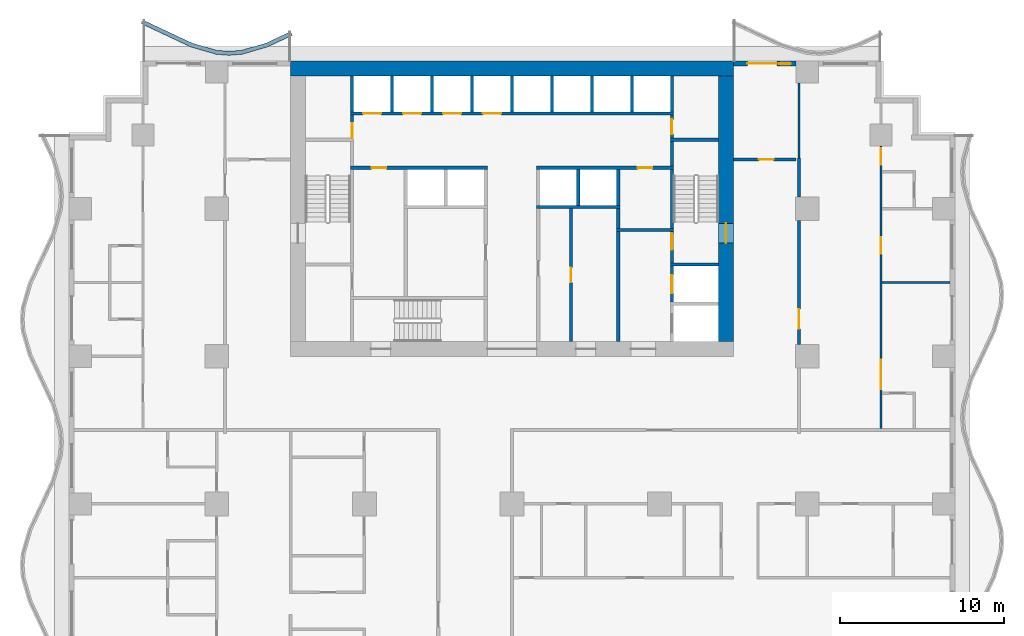
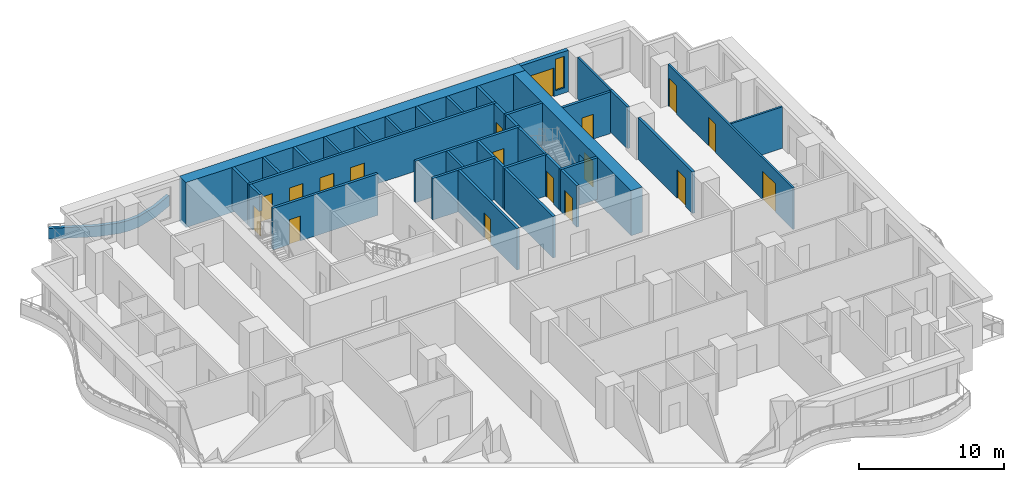
# One storey, part 6 of 14: 37 walls, 18 doors, 1 window, 19 openings.
"""IFC4 building model written with IfcOpenShell, lengths in metres."""

from ifc_helpers import new_model, si_unit, direction, frame, frame_2d, origin, place, context, subcontext, project, spatial, polyline, rectangle, outline, extrude, material, layer, layer_set, type_object, element, fill, save


model = new_model("IFC4")

# Units and contexts
model_context = context("Model", 3, precision=1e-05, world=origin(), true_north=direction((0.0, 1.0)))
body_context = subcontext(model_context, "Body", "Model", "MODEL_VIEW")
ifc_project = project(units=[si_unit("LENGTHUNIT", "METRE"), si_unit("AREAUNIT", "SQUARE_METRE"), si_unit("VOLUMEUNIT", "CUBIC_METRE"), si_unit("PLANEANGLEUNIT", "RADIAN"), si_unit("MASSUNIT", "GRAM", prefix="KILO")], contexts=[model_context])

# Site, building, storey
site_placement = place(None, origin())
site = spatial("IfcSite", under=ifc_project, at=site_placement, CompositionType="ELEMENT")
building_placement = place(site_placement, origin())
building = spatial("IfcBuilding", under=site, at=building_placement, Name="Orbiselva Terraces", CompositionType="ELEMENT")
storey_placement = place(building_placement, frame((0.0, 0.0, 60.6)))
storey = spatial("IfcBuildingStorey", under=building, at=storey_placement, Name="L15", CompositionType="ELEMENT", Elevation=60.6)

# Wall, opening, door
ifc_material_1 = material(Name="Concrete C80/95", Category="concrete")
ifc_layer_1 = layer(ifc_material_1, 0.9)
ifc_layer_set_1 = layer_set([ifc_layer_1], Name="Concrete C80/95")
wall_type_1 = type_object("IfcWallType", Name="CORE WALL 900", PredefinedType="SHEAR", material=ifc_layer_set_1)
wall_1_placement = place(storey_placement, frame((13.05, 5.4, -0.3), z_axis=(0.0, 0.0, 1.0), x_axis=(0.0, 1.0, 0.0)))
wall_1 = element("IfcWall", 1, at=wall_1_placement, inside=storey, type_object=wall_type_1, Name="Core wall L15 east", PredefinedType="SHEAR", context=body_context, shape_type="SweptSolid", body=[
    extrude(rectangle(XDim=16.2, YDim=0.9, at=frame_2d((8.1, 0.0))), origin(), (0.0, 0.0, 1.0), 3.8),
])
opening_1_placement = place(wall_1_placement, frame((6.0, 0.0, 0.3)))
opening_1 = element("IfcOpeningElement", 2, at=opening_1_placement, cuts=wall_1, Name="Opening DS1200", PredefinedType="OPENING", context=body_context, shape_type="SweptSolid", body=[
    extrude(rectangle(XDim=1.2, YDim=2.2, at=frame_2d((0.6, 1.1))), frame((0.0, 0.46, 0.0), z_axis=(0.0, -1.0, 0.0), x_axis=(1.0, 0.0, 0.0)), (0.0, 0.0, 1.0), 0.92),
])
ifc_material_2 = material(Name="Steel fire door", Category="steel")
door_type_1 = type_object("IfcDoorType", Name="STAIR DOOR 1200", OperationType="NOTDEFINED", PredefinedType="DOOR", material=ifc_material_2)
door_1_placement = place(opening_1_placement, frame((1.2, 0.0, 0.0), z_axis=(0.0, 0.0, 1.0), x_axis=(-1.0, 0.0, 0.0)))
door_1 = element("IfcDoor", 3, at=door_1_placement, inside=storey, type_object=door_type_1, Name="L15 EXIT STAIR S2 door", OperationType="SINGLE_SWING_LEFT", OverallHeight=2.2, OverallWidth=1.2, PredefinedType="DOOR", context=body_context, shape_type="SweptSolid", body=[
    extrude(rectangle(XDim=1.2, YDim=2.2, at=frame_2d((0.6, 1.1))), frame((0.0, 0.025, 0.0), z_axis=(0.0, -1.0, 0.0), x_axis=(1.0, 0.0, 0.0)), (0.0, 0.0, 1.0), 0.05),
])
fill(opening_1, door_1)

# Wall
ifc_layer_2 = layer(ifc_material_1, 0.9)
ifc_layer_set_2 = layer_set([ifc_layer_2], Name="Concrete C80/95")
wall_type_2 = type_object("IfcWallType", Name="CORE WALL 900 EXTERNAL", PredefinedType="SHEAR", material=ifc_layer_set_2)
wall_2_placement = place(storey_placement, frame((13.5, 22.05, -0.3), z_axis=(0.0, 0.0, 1.0), x_axis=(-1.0, 0.0, 0.0)))
element("IfcWall", 4, at=wall_2_placement, inside=storey, type_object=wall_type_2, Name="Core wall L15 north", PredefinedType="SHEAR", context=body_context, shape_type="SweptSolid", body=[
    extrude(rectangle(XDim=27.0, YDim=0.9, at=frame_2d((13.5, 0.0))), origin(), (0.0, 0.0, 1.0), 3.8),
])

# Wall, opening, door
ifc_material_3 = material(Name="Masonry blockwork", Category="masonry")
ifc_layer_3 = layer(ifc_material_3, 0.2)
ifc_layer_set_3 = layer_set([ifc_layer_3], Name="Masonry blockwork")
wall_type_3 = type_object("IfcWallType", Name="CORE-WALL-PARTITION-200", PredefinedType="PARTITIONING", material=ifc_layer_set_3)
wall_3_placement = place(storey_placement, frame((-9.75, 17.8, 0.0), z_axis=(0.0, 0.0, 1.0), x_axis=(0.0, 1.0, 0.0)))
wall_3 = element("IfcWall", 5, at=wall_3_placement, inside=storey, type_object=wall_type_3, Name="L15 core wall 09", PredefinedType="PARTITIONING", context=body_context, shape_type="SweptSolid", body=[
    extrude(rectangle(XDim=1.4, YDim=0.2, at=frame_2d((0.7, 0.0))), origin(), (0.0, 0.0, 1.0), 3.5),
])
opening_2_placement = place(wall_3_placement, origin())
opening_2 = element("IfcOpeningElement", 6, at=opening_2_placement, cuts=wall_3, Name="Opening DR900", PredefinedType="OPENING", context=body_context, shape_type="SweptSolid", body=[
    extrude(rectangle(XDim=0.9, YDim=2.1, at=frame_2d((0.45, 1.05))), frame((0.0, 0.11, 0.0), z_axis=(0.0, -1.0, 0.0), x_axis=(1.0, 0.0, 0.0)), (0.0, 0.0, 1.0), 0.22),
])
door_type_2 = type_object("IfcDoorType", Name="ROOM DOOR 900", OperationType="NOTDEFINED", PredefinedType="DOOR", material=ifc_material_2)
door_2_placement = place(opening_2_placement, origin())
door_2 = element("IfcDoor", 7, at=door_2_placement, inside=storey, type_object=door_type_2, Name="L15 ELECTRICAL RISER ROOM door", OperationType="SINGLE_SWING_LEFT", OverallHeight=2.1, OverallWidth=0.9, PredefinedType="DOOR", context=body_context, shape_type="SweptSolid", body=[
    extrude(rectangle(XDim=0.9, YDim=2.1, at=frame_2d((0.45, 1.05))), frame((0.0, 0.025, 0.0), z_axis=(0.0, -1.0, 0.0), x_axis=(1.0, 0.0, 0.0)), (0.0, 0.0, 1.0), 0.05),
])
fill(opening_2, door_2)

wall_4_placement = place(storey_placement, frame((3.6, 13.5, 0.0), z_axis=(0.0, 0.0, 1.0), x_axis=(0.0, -1.0, 0.0)))
wall_4 = element("IfcWall", 8, at=wall_4_placement, inside=storey, type_object=wall_type_3, Name="L15 core wall 28", PredefinedType="PARTITIONING", context=body_context, shape_type="SweptSolid", body=[
    extrude(rectangle(XDim=8.1, YDim=0.2, at=frame_2d((4.05, 0.0))), origin(), (0.0, 0.0, 1.0), 3.5),
])
opening_3_placement = place(wall_4_placement, frame((3.6, 0.0, 0.0)))
opening_3 = element("IfcOpeningElement", 9, at=opening_3_placement, cuts=wall_4, Name="Opening DR900", PredefinedType="OPENING", context=body_context, shape_type="SweptSolid", body=[
    extrude(rectangle(XDim=0.9, YDim=2.1, at=frame_2d((0.45, 1.05))), frame((0.0, 0.11, 0.0), z_axis=(0.0, -1.0, 0.0), x_axis=(1.0, 0.0, 0.0)), (0.0, 0.0, 1.0), 0.22),
])
door_3_placement = place(opening_3_placement, origin())
door_3 = element("IfcDoor", 10, at=door_3_placement, inside=storey, type_object=door_type_2, Name="L15 SERVICE ROOM door", OperationType="SINGLE_SWING_RIGHT", OverallHeight=2.1, OverallWidth=0.9, PredefinedType="DOOR", context=body_context, shape_type="SweptSolid", body=[
    extrude(rectangle(XDim=0.9, YDim=2.1, at=frame_2d((0.45, 1.05))), frame((0.0, 0.025, 0.0), z_axis=(0.0, -1.0, 0.0), x_axis=(1.0, 0.0, 0.0)), (0.0, 0.0, 1.0), 0.05),
])
fill(opening_3, door_3)

# Wall
wall_5_placement = place(storey_placement, frame((6.475, 12.3, 0.0), z_axis=(0.0, 0.0, 1.0), x_axis=(0.0, 1.0, 0.0)))
element("IfcWall", 11, at=wall_5_placement, inside=storey, type_object=wall_type_3, Name="L15 core wall 33", PredefinedType="PARTITIONING", context=body_context, shape_type="SweptSolid", body=[
    extrude(rectangle(XDim=1.2, YDim=0.2, at=frame_2d((0.6, 0.0))), origin(), (0.0, 0.0, 1.0), 3.5),
])

# Wall, opening, door
wall_6_placement = place(storey_placement, frame((9.75, 19.2, 0.0), z_axis=(0.0, 0.0, 1.0), x_axis=(0.0, -1.0, 0.0)))
wall_6 = element("IfcWall", 12, at=wall_6_placement, inside=storey, type_object=wall_type_3, Name="L15 core wall 44", PredefinedType="PARTITIONING", context=body_context, shape_type="SweptSolid", body=[
    extrude(rectangle(XDim=1.4, YDim=0.2, at=frame_2d((0.7, 0.0))), origin(), (0.0, 0.0, 1.0), 3.5),
])
opening_4_placement = place(wall_6_placement, frame((0.25, 0.0, 0.0)))
opening_4 = element("IfcOpeningElement", 13, at=opening_4_placement, cuts=wall_6, Name="Opening DR900", PredefinedType="OPENING", context=body_context, shape_type="SweptSolid", body=[
    extrude(rectangle(XDim=0.9, YDim=2.1, at=frame_2d((0.45, 1.05))), frame((0.0, 0.11, 0.0), z_axis=(0.0, -1.0, 0.0), x_axis=(1.0, 0.0, 0.0)), (0.0, 0.0, 1.0), 0.22),
])
door_4_placement = place(opening_4_placement, origin())
door_4 = element("IfcDoor", 14, at=door_4_placement, inside=storey, type_object=door_type_2, Name="L15 COMMS RISER ROOM door", OperationType="SINGLE_SWING_RIGHT", OverallHeight=2.1, OverallWidth=0.9, PredefinedType="DOOR", context=body_context, shape_type="SweptSolid", body=[
    extrude(rectangle(XDim=0.9, YDim=2.1, at=frame_2d((0.45, 1.05))), frame((0.0, 0.025, 0.0), z_axis=(0.0, -1.0, 0.0), x_axis=(1.0, 0.0, 0.0)), (0.0, 0.0, 1.0), 0.05),
])
fill(opening_4, door_4)

# Walls
ifc_material_4 = material(Name="Concrete C40/50", Category="concrete")
ifc_layer_4 = layer(ifc_material_4, 0.2)
ifc_layer_set_4 = layer_set([ifc_layer_4], Name="Concrete C40/50")
wall_type_4 = type_object("IfcWallType", Name="CORE-WALL-SHAFT-200", PredefinedType="PARTITIONING", material=ifc_layer_set_4)
for number, where, z_axis, x_axis, name in (
    (15, (-9.75, 19.4, 0.0), (0.0, 0.0, 1.0), (0.0, 1.0, 0.0), "L15 core wall 11"),
    (16, (-7.3125, 19.4, 0.0), (0.0, 0.0, 1.0), (0.0, 1.0, 0.0), "L15 core wall 12"),
    (17, (-4.875, 19.4, 0.0), (0.0, 0.0, 1.0), (0.0, 1.0, 0.0), "L15 core wall 16"),
    (18, (-2.4375, 19.4, 0.0), (0.0, 0.0, 1.0), (0.0, 1.0, 0.0), "L15 core wall 18"),
    (19, (0.0, 19.4, 0.0), (0.0, 0.0, 1.0), (0.0, 1.0, 0.0), "L15 core wall 22"),
    (20, (2.4375, 19.4, 0.0), (0.0, 0.0, 1.0), (0.0, 1.0, 0.0), "L15 core wall 27"),
    (21, (4.0375, 13.7, 0.0), (0.0, 0.0, 1.0), (0.0, 1.0, 0.0), "L15 core wall 29"),
    (22, (4.875, 19.4, 0.0), (0.0, 0.0, 1.0), (0.0, 1.0, 0.0), "L15 core wall 30"),
    (23, (6.475, 13.7, 0.0), (0.0, 0.0, 1.0), (0.0, 1.0, 0.0), "L15 core wall 34"),
    (24, (7.3125, 19.4, 0.0), (0.0, 0.0, 1.0), (0.0, 1.0, 0.0), "L15 core wall 35"),
    (25, (9.75, 19.4, 0.0), (0.0, 0.0, 1.0), (0.0, 1.0, 0.0), "L15 core wall 45"),
):
    element("IfcWall", number, at=place(storey_placement, frame(where, z_axis=z_axis, x_axis=x_axis)), inside=storey, type_object=wall_type_4, Name=name, PredefinedType="PARTITIONING", context=body_context, shape_type="SweptSolid", body=[
        extrude(rectangle(XDim=2.2, YDim=0.2, at=frame_2d((1.1, 0.0))), origin(), (0.0, 0.0, 1.0), 3.5),
    ])

# Wall, opening, door
ifc_material_5 = material(Name="Concrete C60/75", Category="concrete")
ifc_layer_5 = layer(ifc_material_5, 0.2)
ifc_layer_set_5 = layer_set([ifc_layer_5], Name="Concrete C60/75")
wall_type_5 = type_object("IfcWallType", Name="CORE-WALL-SHEAR-200", PredefinedType="SHEAR", material=ifc_layer_set_5)
wall_7_placement = place(storey_placement, frame((-1.5, 16.0, 0.0), z_axis=(0.0, 0.0, 1.0), x_axis=(-1.0, 0.0, 0.0)))
wall_7 = element("IfcWall", 26, at=wall_7_placement, inside=storey, type_object=wall_type_5, Name="L15 core wall 07", PredefinedType="SHEAR", context=body_context, shape_type="SweptSolid", body=[
    extrude(rectangle(XDim=8.35, YDim=0.2, at=frame_2d((4.175, 0.0))), origin(), (0.0, 0.0, 1.0), 3.5),
])
opening_5_placement = place(wall_7_placement, frame((6.1625, 0.0, 0.0)))
opening_5 = element("IfcOpeningElement", 27, at=opening_5_placement, cuts=wall_7, Name="Opening DR900", PredefinedType="OPENING", context=body_context, shape_type="SweptSolid", body=[
    extrude(rectangle(XDim=0.9, YDim=2.1, at=frame_2d((0.45, 1.05))), frame((0.0, 0.11, 0.0), z_axis=(0.0, -1.0, 0.0), x_axis=(1.0, 0.0, 0.0)), (0.0, 0.0, 1.0), 0.22),
])
door_5_placement = place(opening_5_placement, origin())
door_5 = element("IfcDoor", 28, at=door_5_placement, inside=storey, type_object=door_type_2, Name="L15 STAFF PANTRY door", OperationType="SINGLE_SWING_RIGHT", OverallHeight=2.1, OverallWidth=0.9, PredefinedType="DOOR", context=body_context, shape_type="SweptSolid", body=[
    extrude(rectangle(XDim=0.9, YDim=2.1, at=frame_2d((0.45, 1.05))), frame((0.0, 0.025, 0.0), z_axis=(0.0, -1.0, 0.0), x_axis=(1.0, 0.0, 0.0)), (0.0, 0.0, 1.0), 0.05),
])
fill(opening_5, door_5)

# Wall, openings, doors
wall_8_placement = place(storey_placement, frame((-9.85, 19.3, 0.0), z_axis=(0.0, 0.0, 1.0), x_axis=(1.0, 0.0, 0.0)))
wall_8 = element("IfcWall", 29, at=wall_8_placement, inside=storey, type_object=wall_type_5, Name="L15 core wall 10", PredefinedType="SHEAR", context=body_context, shape_type="SweptSolid", body=[
    extrude(rectangle(XDim=19.7, YDim=0.2, at=frame_2d((9.85, 0.0))), origin(), (0.0, 0.0, 1.0), 3.5),
])
opening_6_placement = place(wall_8_placement, frame((0.76875, 0.0, 0.0)))
opening_6 = element("IfcOpeningElement", 30, at=opening_6_placement, cuts=wall_8, Name="Opening LD-LR1", PredefinedType="OPENING", context=body_context, shape_type="SweptSolid", body=[
    extrude(rectangle(XDim=1.1, YDim=2.1, at=frame_2d((0.55, 1.05))), frame((0.0, 0.11, 0.0), z_axis=(0.0, -1.0, 0.0), x_axis=(1.0, 0.0, 0.0)), (0.0, 0.0, 1.0), 0.22),
])
opening_7_placement = place(wall_8_placement, frame((3.20625, 0.0, 0.0)))
opening_7 = element("IfcOpeningElement", 31, at=opening_7_placement, cuts=wall_8, Name="Opening LD-LR2", PredefinedType="OPENING", context=body_context, shape_type="SweptSolid", body=[
    extrude(rectangle(XDim=1.1, YDim=2.1, at=frame_2d((0.55, 1.05))), frame((0.0, 0.11, 0.0), z_axis=(0.0, -1.0, 0.0), x_axis=(1.0, 0.0, 0.0)), (0.0, 0.0, 1.0), 0.22),
])
opening_8_placement = place(wall_8_placement, frame((5.64375, 0.0, 0.0)))
opening_8 = element("IfcOpeningElement", 32, at=opening_8_placement, cuts=wall_8, Name="Opening LD-LR3", PredefinedType="OPENING", context=body_context, shape_type="SweptSolid", body=[
    extrude(rectangle(XDim=1.1, YDim=2.1, at=frame_2d((0.55, 1.05))), frame((0.0, 0.11, 0.0), z_axis=(0.0, -1.0, 0.0), x_axis=(1.0, 0.0, 0.0)), (0.0, 0.0, 1.0), 0.22),
])
opening_9_placement = place(wall_8_placement, frame((8.08125, 0.0, 0.0)))
opening_9 = element("IfcOpeningElement", 33, at=opening_9_placement, cuts=wall_8, Name="Opening LD-LR4", PredefinedType="OPENING", context=body_context, shape_type="SweptSolid", body=[
    extrude(rectangle(XDim=1.1, YDim=2.1, at=frame_2d((0.55, 1.05))), frame((0.0, 0.11, 0.0), z_axis=(0.0, -1.0, 0.0), x_axis=(1.0, 0.0, 0.0)), (0.0, 0.0, 1.0), 0.22),
])
ifc_material_6 = material(Name="Stainless steel landing door", Category="steel")
door_type_3 = type_object("IfcDoorType", Name="LANDING DOOR 1100", OperationType="SLIDING_TO_LEFT", PredefinedType="DOOR", material=ifc_material_6)
door_6_placement = place(opening_6_placement, origin())
door_6 = element("IfcDoor", 34, at=door_6_placement, inside=storey, type_object=door_type_3, Name="L15 landing door LR1", OperationType="SLIDING_TO_LEFT", OverallHeight=2.1, OverallWidth=1.1, PredefinedType="DOOR", context=body_context, shape_type="SweptSolid", body=[
    extrude(rectangle(XDim=1.1, YDim=2.1, at=frame_2d((0.55, 1.05))), frame((0.0, 0.025, 0.0), z_axis=(0.0, -1.0, 0.0), x_axis=(1.0, 0.0, 0.0)), (0.0, 0.0, 1.0), 0.05),
])
fill(opening_6, door_6)
door_7_placement = place(opening_7_placement, origin())
door_7 = element("IfcDoor", 35, at=door_7_placement, inside=storey, type_object=door_type_3, Name="L15 landing door LR2", OperationType="SLIDING_TO_LEFT", OverallHeight=2.1, OverallWidth=1.1, PredefinedType="DOOR", context=body_context, shape_type="SweptSolid", body=[
    extrude(rectangle(XDim=1.1, YDim=2.1, at=frame_2d((0.55, 1.05))), frame((0.0, 0.025, 0.0), z_axis=(0.0, -1.0, 0.0), x_axis=(1.0, 0.0, 0.0)), (0.0, 0.0, 1.0), 0.05),
])
fill(opening_7, door_7)
door_8_placement = place(opening_8_placement, origin())
door_8 = element("IfcDoor", 36, at=door_8_placement, inside=storey, type_object=door_type_3, Name="L15 landing door LR3", OperationType="SLIDING_TO_LEFT", OverallHeight=2.1, OverallWidth=1.1, PredefinedType="DOOR", context=body_context, shape_type="SweptSolid", body=[
    extrude(rectangle(XDim=1.1, YDim=2.1, at=frame_2d((0.55, 1.05))), frame((0.0, 0.025, 0.0), z_axis=(0.0, -1.0, 0.0), x_axis=(1.0, 0.0, 0.0)), (0.0, 0.0, 1.0), 0.05),
])
fill(opening_8, door_8)
door_9_placement = place(opening_9_placement, origin())
door_9 = element("IfcDoor", 37, at=door_9_placement, inside=storey, type_object=door_type_3, Name="L15 landing door LR4", OperationType="SLIDING_TO_LEFT", OverallHeight=2.1, OverallWidth=1.1, PredefinedType="DOOR", context=body_context, shape_type="SweptSolid", body=[
    extrude(rectangle(XDim=1.1, YDim=2.1, at=frame_2d((0.55, 1.05))), frame((0.0, 0.025, 0.0), z_axis=(0.0, -1.0, 0.0), x_axis=(1.0, 0.0, 0.0)), (0.0, 0.0, 1.0), 0.05),
])
fill(opening_9, door_9)

# Wall
wall_9_placement = place(storey_placement, frame((1.5, 13.6, 0.0), z_axis=(0.0, 0.0, 1.0), x_axis=(1.0, 0.0, 0.0)))
element("IfcWall", 38, at=wall_9_placement, inside=storey, type_object=wall_type_5, Name="L15 core wall 24", PredefinedType="SHEAR", context=body_context, shape_type="SweptSolid", body=[
    extrude(rectangle(XDim=5.075, YDim=0.2, at=frame_2d((2.5375, 0.0))), origin(), (0.0, 0.0, 1.0), 3.5),
])

# Wall, opening, door
wall_10_placement = place(storey_placement, frame((9.85, 16.0, 0.0), z_axis=(0.0, 0.0, 1.0), x_axis=(-1.0, 0.0, 0.0)))
wall_10 = element("IfcWall", 39, at=wall_10_placement, inside=storey, type_object=wall_type_5, Name="L15 core wall 26", PredefinedType="SHEAR", context=body_context, shape_type="SweptSolid", body=[
    extrude(rectangle(XDim=8.35, YDim=0.2, at=frame_2d((4.175, 0.0))), origin(), (0.0, 0.0, 1.0), 3.5),
])
opening_10_placement = place(wall_10_placement, frame((1.2875, 0.0, 0.0)))
opening_10 = element("IfcOpeningElement", 40, at=opening_10_placement, cuts=wall_10, Name="Opening DR900", PredefinedType="OPENING", context=body_context, shape_type="SweptSolid", body=[
    extrude(rectangle(XDim=0.9, YDim=2.1, at=frame_2d((0.45, 1.05))), frame((0.0, 0.11, 0.0), z_axis=(0.0, -1.0, 0.0), x_axis=(1.0, 0.0, 0.0)), (0.0, 0.0, 1.0), 0.22),
])
door_10_placement = place(opening_10_placement, origin())
door_10 = element("IfcDoor", 41, at=door_10_placement, inside=storey, type_object=door_type_2, Name="L15 PIPE RISER ROOM door", OperationType="SINGLE_SWING_LEFT", OverallHeight=2.1, OverallWidth=0.9, PredefinedType="DOOR", context=body_context, shape_type="SweptSolid", body=[
    extrude(rectangle(XDim=0.9, YDim=2.1, at=frame_2d((0.45, 1.05))), frame((0.0, 0.025, 0.0), z_axis=(0.0, -1.0, 0.0), x_axis=(1.0, 0.0, 0.0)), (0.0, 0.0, 1.0), 0.05),
])
fill(opening_10, door_10)

# Walls
wall_11_placement = place(storey_placement, frame((6.475, 5.4, 0.0), z_axis=(0.0, 0.0, 1.0), x_axis=(0.0, 1.0, 0.0)))
element("IfcWall", 42, at=wall_11_placement, inside=storey, type_object=wall_type_5, Name="L15 core wall 31", PredefinedType="SHEAR", context=body_context, shape_type="SweptSolid", body=[
    extrude(rectangle(XDim=6.7, YDim=0.2, at=frame_2d((3.35, 0.0))), origin(), (0.0, 0.0, 1.0), 3.5),
])
wall_12_placement = place(storey_placement, frame((6.375, 12.2, 0.0), z_axis=(0.0, 0.0, 1.0), x_axis=(1.0, 0.0, 0.0)))
element("IfcWall", 43, at=wall_12_placement, inside=storey, type_object=wall_type_5, Name="L15 core wall 32", PredefinedType="SHEAR", context=body_context, shape_type="SweptSolid", body=[
    extrude(rectangle(XDim=3.475, YDim=0.2, at=frame_2d((1.7375, 0.0))), origin(), (0.0, 0.0, 1.0), 3.5),
])

# Wall, opening, door
wall_13_placement = place(storey_placement, frame((9.75, 7.8, 0.0), z_axis=(0.0, 0.0, 1.0), x_axis=(0.0, 1.0, 0.0)))
wall_13 = element("IfcWall", 44, at=wall_13_placement, inside=storey, type_object=wall_type_5, Name="L15 core wall 38", PredefinedType="SHEAR", context=body_context, shape_type="SweptSolid", body=[
    extrude(rectangle(XDim=2.2, YDim=0.2, at=frame_2d((1.1, 0.0))), origin(), (0.0, 0.0, 1.0), 3.5),
])
opening_11_placement = place(wall_13_placement, frame((0.55, 0.0, 0.0)))
opening_11 = element("IfcOpeningElement", 45, at=opening_11_placement, cuts=wall_13, Name="Opening LD-FF2", PredefinedType="OPENING", context=body_context, shape_type="SweptSolid", body=[
    extrude(rectangle(XDim=1.1, YDim=2.1, at=frame_2d((0.55, 1.05))), frame((0.0, 0.11, 0.0), z_axis=(0.0, -1.0, 0.0), x_axis=(1.0, 0.0, 0.0)), (0.0, 0.0, 1.0), 0.22),
])
door_11_placement = place(opening_11_placement, origin())
door_11 = element("IfcDoor", 46, at=door_11_placement, inside=storey, type_object=door_type_3, Name="L15 landing door FF2", OperationType="SLIDING_TO_RIGHT", OverallHeight=2.1, OverallWidth=1.1, PredefinedType="DOOR", context=body_context, shape_type="SweptSolid", body=[
    extrude(rectangle(XDim=1.1, YDim=2.1, at=frame_2d((0.55, 1.05))), frame((0.0, 0.025, 0.0), z_axis=(0.0, -1.0, 0.0), x_axis=(1.0, 0.0, 0.0)), (0.0, 0.0, 1.0), 0.05),
])
fill(opening_11, door_11)

# Wall
wall_14_placement = place(storey_placement, frame((9.65, 10.1, 0.0), z_axis=(0.0, 0.0, 1.0), x_axis=(1.0, 0.0, 0.0)))
element("IfcWall", 47, at=wall_14_placement, inside=storey, type_object=wall_type_5, Name="L15 core wall 39", PredefinedType="SHEAR", context=body_context, shape_type="SweptSolid", body=[
    extrude(rectangle(XDim=2.95, YDim=0.2, at=frame_2d((1.475, 0.0))), origin(), (0.0, 0.0, 1.0), 3.5),
])

# Wall, opening, door
wall_15_placement = place(storey_placement, frame((9.75, 12.1, 0.0), z_axis=(0.0, 0.0, 1.0), x_axis=(0.0, -1.0, 0.0)))
wall_15 = element("IfcWall", 48, at=wall_15_placement, inside=storey, type_object=wall_type_5, Name="L15 core wall 40", PredefinedType="SHEAR", context=body_context, shape_type="SweptSolid", body=[
    extrude(rectangle(XDim=1.9, YDim=0.2, at=frame_2d((0.95, 0.0))), origin(), (0.0, 0.0, 1.0), 3.5),
])
opening_12_placement = place(wall_15_placement, frame((0.1, 0.0, 0.0)))
opening_12 = element("IfcOpeningElement", 49, at=opening_12_placement, cuts=wall_15, Name="Opening DS1000", PredefinedType="OPENING", context=body_context, shape_type="SweptSolid", body=[
    extrude(rectangle(XDim=1.0, YDim=2.2, at=frame_2d((0.5, 1.1))), frame((0.0, 0.11, 0.0), z_axis=(0.0, -1.0, 0.0), x_axis=(1.0, 0.0, 0.0)), (0.0, 0.0, 1.0), 0.22),
])
door_type_4 = type_object("IfcDoorType", Name="STAIR DOOR 1000", OperationType="NOTDEFINED", PredefinedType="DOOR", material=ifc_material_2)
door_12_placement = place(opening_12_placement, origin())
door_12 = element("IfcDoor", 50, at=door_12_placement, inside=storey, type_object=door_type_4, Name="L15 FIRE-FIGHTING LOBBY TO EXIT STAIR S2 door", OperationType="SINGLE_SWING_LEFT", OverallHeight=2.2, OverallWidth=1.0, PredefinedType="DOOR", context=body_context, shape_type="SweptSolid", body=[
    extrude(rectangle(XDim=1.0, YDim=2.2, at=frame_2d((0.5, 1.1))), frame((0.0, 0.025, 0.0), z_axis=(0.0, -1.0, 0.0), x_axis=(1.0, 0.0, 0.0)), (0.0, 0.0, 1.0), 0.05),
])
fill(opening_12, door_12)

# Walls
wall_16_placement = place(storey_placement, frame((9.75, 12.3, 0.0), z_axis=(0.0, 0.0, 1.0), x_axis=(0.0, 1.0, 0.0)))
element("IfcWall", 51, at=wall_16_placement, inside=storey, type_object=wall_type_5, Name="L15 core wall 41", PredefinedType="SHEAR", context=body_context, shape_type="SweptSolid", body=[
    extrude(rectangle(XDim=3.6, YDim=0.2, at=frame_2d((1.8, 0.0))), origin(), (0.0, 0.0, 1.0), 3.5),
])
wall_17_placement = place(storey_placement, frame((9.75, 16.1, 0.0), z_axis=(0.0, 0.0, 1.0), x_axis=(0.0, 1.0, 0.0)))
element("IfcWall", 52, at=wall_17_placement, inside=storey, type_object=wall_type_5, Name="L15 core wall 42", PredefinedType="SHEAR", context=body_context, shape_type="SweptSolid", body=[
    extrude(rectangle(XDim=1.5, YDim=0.2, at=frame_2d((0.75, 0.0))), origin(), (0.0, 0.0, 1.0), 3.5),
])
wall_18_placement = place(storey_placement, frame((9.65, 17.7, 0.0), z_axis=(0.0, 0.0, 1.0), x_axis=(1.0, 0.0, 0.0)))
element("IfcWall", 53, at=wall_18_placement, inside=storey, type_object=wall_type_5, Name="L15 core wall 43", PredefinedType="SHEAR", context=body_context, shape_type="SweptSolid", body=[
    extrude(rectangle(XDim=2.95, YDim=0.2, at=frame_2d((1.475, 0.0))), origin(), (0.0, 0.0, 1.0), 3.5),
])
ifc_layer_6 = layer(ifc_material_4, 0.25)
ifc_layer_set_6 = layer_set([ifc_layer_6], Name="Concrete C40/50")
wall_type_6 = type_object("IfcWallType", Name="ENV-PLANTER-250x900", PredefinedType="USERDEFINED", material=ifc_layer_set_6)
wall_19_placement = place(storey_placement, origin())
element("IfcWall", 54, at=wall_19_placement, inside=storey, type_object=wall_type_6, Name="Balcony planter L15 NW", ObjectType="PLANTER", PredefinedType="USERDEFINED", context=body_context, shape_type="SweptSolid", body=[
    extrude(outline(polyline([(-13.5, 24.3), (-15.0, 23.594658), (-16.5, 23.158732), (-17.25, 23.1), (-18.0, 23.158732), (-19.5, 23.594658), (-21.0, 24.3), (-22.5, 25.005342), (-22.606383, 24.779106), (-21.106383, 24.073764), (-19.588618, 23.360069), (-18.045114, 22.911499), (-17.25, 22.849235), (-16.454886, 22.911499), (-14.911382, 23.360069), (-13.393617, 24.073764), (-13.5, 24.3)])), origin(), (0.0, 0.0, 1.0), 0.9),
])

# Wall, openings, door, window
ifc_material_7 = material(Name="Terracotta cladding on masonry backing", Category="masonry")
ifc_layer_7 = layer(ifc_material_7, 0.3)
ifc_layer_set_7 = layer_set([ifc_layer_7], Name="Terracotta cladding on masonry backing")
wall_type_7 = type_object("IfcWallType", Name="ENV-WALL-TERRACOTTA-300", PredefinedType="SOLIDWALL", material=ifc_layer_set_7)
wall_20_placement = place(storey_placement, frame((13.5, 22.35, 0.0), z_axis=(0.0, 0.0, 1.0), x_axis=(1.0, 0.0, 0.0)))
wall_20 = element("IfcWall", 55, at=wall_20_placement, inside=storey, type_object=wall_type_7, Name="Facade wall L15 NE", PredefinedType="SOLIDWALL", context=body_context, shape_type="SweptSolid", body=[
    extrude(rectangle(XDim=3.825, YDim=0.3, at=frame_2d((1.9125, 0.0))), origin(), (0.0, 0.0, 1.0), 3.5),
])
opening_13_placement = place(wall_20_placement, frame((2.8, 0.0, 0.45)))
opening_13 = element("IfcOpeningElement", 56, at=opening_13_placement, cuts=wall_20, Name="Opening WN4", PredefinedType="OPENING", context=body_context, shape_type="SweptSolid", body=[
    extrude(rectangle(XDim=0.7, YDim=2.65, at=frame_2d((0.35, 1.325))), frame((0.0, 0.16, 0.0), z_axis=(0.0, -1.0, 0.0), x_axis=(1.0, 0.0, 0.0)), (0.0, 0.0, 1.0), 0.32),
])
opening_14_placement = place(wall_20_placement, frame((0.85, 0.0, 0.0)))
opening_14 = element("IfcOpeningElement", 57, at=opening_14_placement, cuts=wall_20, Name="Opening Z1-E-E15", PredefinedType="OPENING", context=body_context, shape_type="SweptSolid", body=[
    extrude(rectangle(XDim=1.8, YDim=2.4, at=frame_2d((0.9, 1.2))), frame((0.0, 0.16, 0.0), z_axis=(0.0, -1.0, 0.0), x_axis=(1.0, 0.0, 0.0)), (0.0, 0.0, 1.0), 0.32),
])
ifc_material_8 = material(Name="Clear low-e glazing in aluminium frame", Category="aluminium")
door_type_5 = type_object("IfcDoorType", Name="BALCONY DOOR 1800 X 2400", OperationType="DOUBLE_DOOR_SLIDING", PredefinedType="DOOR", material=ifc_material_8)
door_13_placement = place(opening_14_placement, origin())
door_13 = element("IfcDoor", 58, at=door_13_placement, inside=storey, type_object=door_type_5, Name="Z1-E-E15", OperationType="SINGLE_SWING_LEFT", OverallHeight=2.4, OverallWidth=1.8, PredefinedType="DOOR", context=body_context, shape_type="SweptSolid", body=[
    extrude(rectangle(XDim=1.8, YDim=2.4, at=frame_2d((0.9, 1.2))), frame((0.0, 0.025, 0.0), z_axis=(0.0, -1.0, 0.0), x_axis=(1.0, 0.0, 0.0)), (0.0, 0.0, 1.0), 0.05),
])
fill(opening_14, door_13)
window_type = type_object("IfcWindowType", Name="WINDOW 700 X 2650 S450", PartitioningType="TRIPLE_PANEL_VERTICAL", PredefinedType="WINDOW", material=ifc_material_8)
window_placement = place(opening_13_placement, origin())
window = element("IfcWindow", 59, at=window_placement, inside=storey, type_object=window_type, Name="Window L15 NE", OverallHeight=2.65, OverallWidth=0.7, PartitioningType="SINGLE_PANEL", PredefinedType="WINDOW", context=body_context, shape_type="SweptSolid", body=[
    extrude(rectangle(XDim=0.7, YDim=2.65, at=frame_2d((0.35, 1.325))), frame((0.0, 0.03, 0.0), z_axis=(0.0, -1.0, 0.0), x_axis=(1.0, 0.0, 0.0)), (0.0, 0.0, 1.0), 0.06),
])
fill(opening_13, window)

# Wall, opening, door
ifc_material_9 = material(Name="Plasterboard on steel stud partition", Category="steel")
ifc_layer_8 = layer(ifc_material_9, 0.2)
ifc_layer_set_8 = layer_set([ifc_layer_8], Name="Plasterboard on steel stud partition")
wall_type_8 = type_object("IfcWallType", Name="UNIT-ENTRANCE-WALL-200", PredefinedType="PARTITIONING", material=ifc_layer_set_8)
wall_21_placement = place(storey_placement, frame((13.5, 16.5, 0.0), z_axis=(0.0, 0.0, 1.0), x_axis=(1.0, 0.0, 0.0)))
wall_21 = element("IfcWall", 60, at=wall_21_placement, inside=storey, type_object=wall_type_8, Name="PARTITION L15-043", PredefinedType="PARTITIONING", context=body_context, shape_type="SweptSolid", body=[
    extrude(rectangle(XDim=3.825, YDim=0.2, at=frame_2d((1.9125, 0.0))), origin(), (0.0, 0.0, 1.0), 3.5),
])
opening_15_placement = place(wall_21_placement, frame((1.55, 0.0, 0.0)))
opening_15 = element("IfcOpeningElement", 61, at=opening_15_placement, cuts=wall_21, Name="Opening Z1-E-02", PredefinedType="OPENING", context=body_context, shape_type="SweptSolid", body=[
    extrude(rectangle(XDim=0.9, YDim=2.1, at=frame_2d((0.45, 1.05))), frame((0.0, 0.11, 0.0), z_axis=(0.0, -1.0, 0.0), x_axis=(1.0, 0.0, 0.0)), (0.0, 0.0, 1.0), 0.22),
])
ifc_material_10 = material(Name="Painted timber door leaf", Category="wood")
door_type_6 = type_object("IfcDoorType", Name="SERVICE DOOR 900", OperationType="NOTDEFINED", PredefinedType="DOOR", material=ifc_material_10)
door_14_placement = place(opening_15_placement, origin())
door_14 = element("IfcDoor", 62, at=door_14_placement, inside=storey, type_object=door_type_6, Name="Z1-E-02", OperationType="SINGLE_SWING_RIGHT", OverallHeight=2.1, OverallWidth=0.9, PredefinedType="DOOR", context=body_context, shape_type="SweptSolid", body=[
    extrude(rectangle(XDim=0.9, YDim=2.1, at=frame_2d((0.45, 1.05))), frame((0.0, 0.025, 0.0), z_axis=(0.0, -1.0, 0.0), x_axis=(1.0, 0.0, 0.0)), (0.0, 0.0, 1.0), 0.05),
])
fill(opening_15, door_14)

wall_22_placement = place(storey_placement, frame((17.5, 12.775, 0.0), z_axis=(0.0, 0.0, 1.0), x_axis=(0.0, -1.0, 0.0)))
wall_22 = element("IfcWall", 63, at=wall_22_placement, inside=storey, type_object=wall_type_8, Name="PARTITION L15-078", PredefinedType="PARTITIONING", context=body_context, shape_type="SweptSolid", body=[
    extrude(rectangle(XDim=7.55, YDim=0.2, at=frame_2d((3.775, 0.0))), origin(), (0.0, 0.0, 1.0), 3.5),
])
opening_16_placement = place(wall_22_placement, frame((5.4, 0.0, 0.0)))
opening_16 = element("IfcOpeningElement", 64, at=opening_16_placement, cuts=wall_22, Name="Opening Z1-E-09", PredefinedType="OPENING", context=body_context, shape_type="SweptSolid", body=[
    extrude(rectangle(XDim=1.2, YDim=2.4, at=frame_2d((0.6, 1.2))), frame((0.0, 0.11, 0.0), z_axis=(0.0, -1.0, 0.0), x_axis=(1.0, 0.0, 0.0)), (0.0, 0.0, 1.0), 0.22),
])
door_type_7 = type_object("IfcDoorType", Name="ENTRANCE DOOR 1200", OperationType="NOTDEFINED", PredefinedType="DOOR", material=ifc_material_10)
door_15_placement = place(opening_16_placement, origin())
door_15 = element("IfcDoor", 65, at=door_15_placement, inside=storey, type_object=door_type_7, Name="Z1-E-09", OperationType="SINGLE_SWING_RIGHT", OverallHeight=2.4, OverallWidth=1.2, PredefinedType="DOOR", context=body_context, shape_type="SweptSolid", body=[
    extrude(rectangle(XDim=1.2, YDim=2.4, at=frame_2d((0.6, 1.2))), frame((0.0, 0.025, 0.0), z_axis=(0.0, -1.0, 0.0), x_axis=(1.0, 0.0, 0.0)), (0.0, 0.0, 1.0), 0.05),
])
fill(opening_16, door_15)

# Walls
wall_23_placement = place(storey_placement, frame((17.5, 14.225, 0.0), z_axis=(0.0, 0.0, 1.0), x_axis=(0.0, 1.0, 0.0)))
element("IfcWall", 66, at=wall_23_placement, inside=storey, type_object=wall_type_8, Name="PARTITION L15-079", PredefinedType="PARTITIONING", context=body_context, shape_type="SweptSolid", body=[
    extrude(rectangle(XDim=2.375, YDim=0.2, at=frame_2d((1.1875, 0.0))), origin(), (0.0, 0.0, 1.0), 3.5),
])
ifc_layer_9 = layer(ifc_material_9, 0.15)
ifc_layer_set_9 = layer_set([ifc_layer_9], Name="Plasterboard on steel stud partition")
wall_type_9 = type_object("IfcWallType", Name="UNIT-PARTITION-150", PredefinedType="PARTITIONING", material=ifc_layer_set_9)
wall_24_placement = place(storey_placement, frame((22.575, 9.0, 0.0), z_axis=(0.0, 0.0, 1.0), x_axis=(1.0, 0.0, 0.0)))
element("IfcWall", 67, at=wall_24_placement, inside=storey, type_object=wall_type_9, Name="PARTITION L15-038", PredefinedType="PARTITIONING", context=body_context, shape_type="SweptSolid", body=[
    extrude(rectangle(XDim=4.125, YDim=0.15, at=frame_2d((2.0625, 0.0))), origin(), (0.0, 0.0, 1.0), 3.5),
])
wall_25_placement = place(storey_placement, frame((17.5, 16.4, 0.0), z_axis=(0.0, 0.0, 1.0), x_axis=(0.0, 1.0, 0.0)))
element("IfcWall", 68, at=wall_25_placement, inside=storey, type_object=wall_type_9, Name="PARTITION L15-080", PredefinedType="PARTITIONING", context=body_context, shape_type="SweptSolid", body=[
    extrude(rectangle(XDim=4.75, YDim=0.15, at=frame_2d((2.375, 0.0))), origin(), (0.0, 0.0, 1.0), 3.5),
])

# Wall, openings, doors
wall_26_placement = place(storey_placement, frame((22.5, 17.325, 0.0), z_axis=(0.0, 0.0, 1.0), x_axis=(0.0, -1.0, 0.0)))
wall_26 = element("IfcWall", 69, at=wall_26_placement, inside=storey, type_object=wall_type_9, Name="PARTITION L15-086", PredefinedType="PARTITIONING", context=body_context, shape_type="SweptSolid", body=[
    extrude(rectangle(XDim=17.225, YDim=0.15, at=frame_2d((8.6125, 0.0))), origin(), (0.0, 0.0, 1.0), 3.5),
])
opening_17_placement = place(wall_26_placement, frame((13.025, 0.0, 0.0)))
opening_17 = element("IfcOpeningElement", 70, at=opening_17_placement, cuts=wall_26, Name="Opening Z1-E-10", PredefinedType="OPENING", context=body_context, shape_type="SweptSolid", body=[
    extrude(rectangle(XDim=1.8, YDim=2.4, at=frame_2d((0.9, 1.2))), frame((0.0, 0.085, 0.0), z_axis=(0.0, -1.0, 0.0), x_axis=(1.0, 0.0, 0.0)), (0.0, 0.0, 1.0), 0.17),
])
opening_18_placement = place(wall_26_placement, frame((5.575, 0.0, 0.0)))
opening_18 = element("IfcOpeningElement", 71, at=opening_18_placement, cuts=wall_26, Name="Opening Z1-E-12", PredefinedType="OPENING", context=body_context, shape_type="SweptSolid", body=[
    extrude(rectangle(XDim=1.0, YDim=2.4, at=frame_2d((0.5, 1.2))), frame((0.0, 0.085, 0.0), z_axis=(0.0, -1.0, 0.0), x_axis=(1.0, 0.0, 0.0)), (0.0, 0.0, 1.0), 0.17),
])
opening_19_placement = place(wall_26_placement, frame((0.15, 0.0, 0.0)))
opening_19 = element("IfcOpeningElement", 72, at=opening_19_placement, cuts=wall_26, Name="Opening Z1-E-13", PredefinedType="OPENING", context=body_context, shape_type="SweptSolid", body=[
    extrude(rectangle(XDim=1.0, YDim=2.4, at=frame_2d((0.5, 1.2))), frame((0.0, 0.085, 0.0), z_axis=(0.0, -1.0, 0.0), x_axis=(1.0, 0.0, 0.0)), (0.0, 0.0, 1.0), 0.17),
])
door_type_8 = type_object("IfcDoorType", Name="DOUBLE DOOR 1800", OperationType="NOTDEFINED", PredefinedType="DOOR", material=ifc_material_10)
door_16_placement = place(opening_17_placement, origin())
door_16 = element("IfcDoor", 73, at=door_16_placement, inside=storey, type_object=door_type_8, Name="Z1-E-10", OperationType="DOUBLE_DOOR_SINGLE_SWING", OverallHeight=2.4, OverallWidth=1.8, PredefinedType="DOOR", context=body_context, shape_type="SweptSolid", body=[
    extrude(rectangle(XDim=1.8, YDim=2.4, at=frame_2d((0.9, 1.2))), frame((0.0, 0.025, 0.0), z_axis=(0.0, -1.0, 0.0), x_axis=(1.0, 0.0, 0.0)), (0.0, 0.0, 1.0), 0.05),
])
fill(opening_17, door_16)
door_type_9 = type_object("IfcDoorType", Name="ROOM DOOR 1000", OperationType="NOTDEFINED", PredefinedType="DOOR", material=ifc_material_10)
door_17_placement = place(opening_18_placement, origin())
door_17 = element("IfcDoor", 74, at=door_17_placement, inside=storey, type_object=door_type_9, Name="Z1-E-12", OperationType="SINGLE_SWING_LEFT", OverallHeight=2.4, OverallWidth=1.0, PredefinedType="DOOR", context=body_context, shape_type="SweptSolid", body=[
    extrude(rectangle(XDim=1.0, YDim=2.4, at=frame_2d((0.5, 1.2))), frame((0.0, 0.025, 0.0), z_axis=(0.0, -1.0, 0.0), x_axis=(1.0, 0.0, 0.0)), (0.0, 0.0, 1.0), 0.05),
])
fill(opening_18, door_17)
door_18_placement = place(opening_19_placement, origin())
door_18 = element("IfcDoor", 75, at=door_18_placement, inside=storey, type_object=door_type_9, Name="Z1-E-13", OperationType="SINGLE_SWING_LEFT", OverallHeight=2.4, OverallWidth=1.0, PredefinedType="DOOR", context=body_context, shape_type="SweptSolid", body=[
    extrude(rectangle(XDim=1.0, YDim=2.4, at=frame_2d((0.5, 1.2))), frame((0.0, 0.025, 0.0), z_axis=(0.0, -1.0, 0.0), x_axis=(1.0, 0.0, 0.0)), (0.0, 0.0, 1.0), 0.05),
])
fill(opening_19, door_18)

save(model, "model.ifc")
